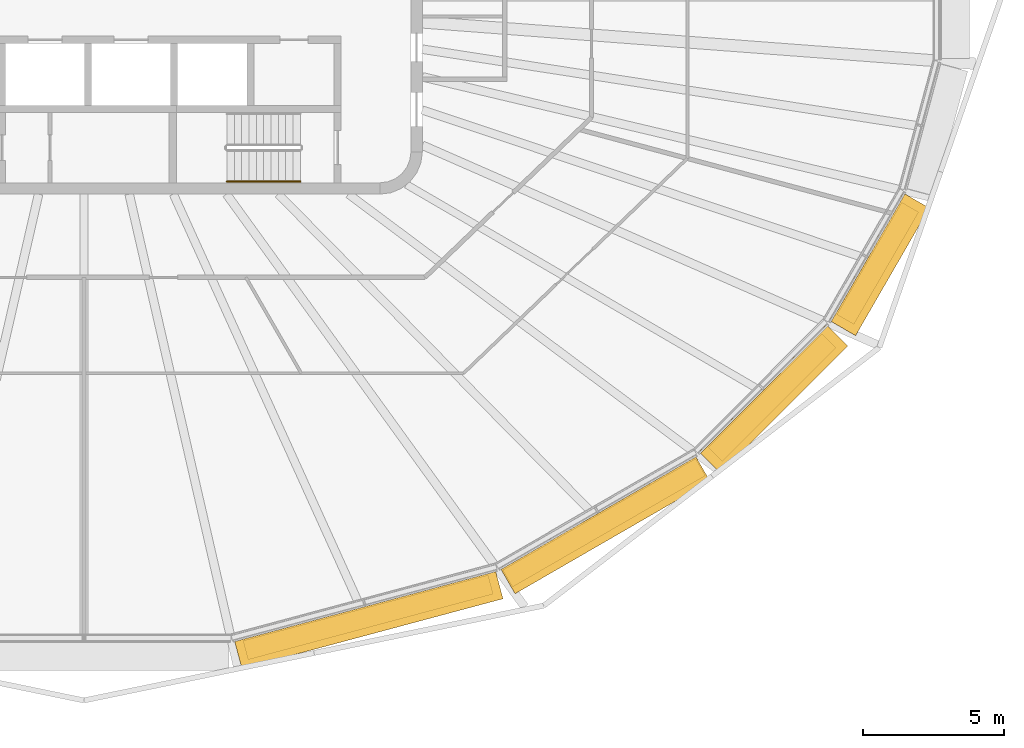
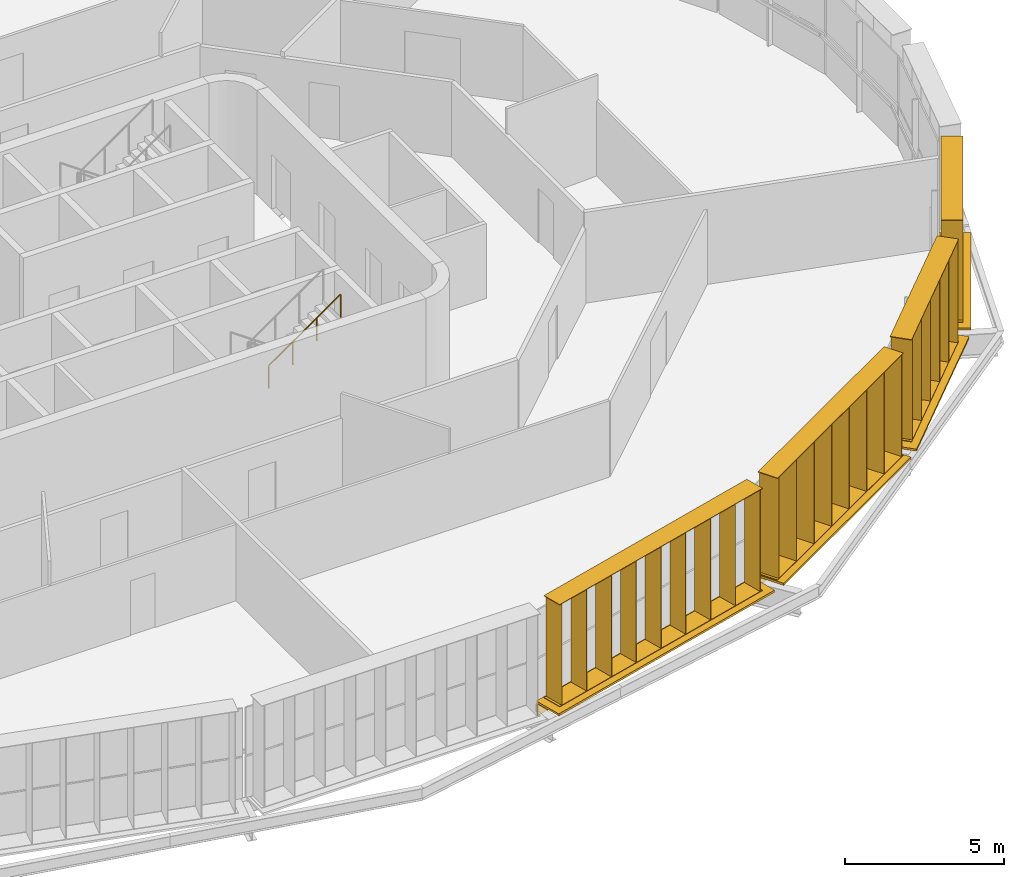
# One storey, part 17 of 20: 8 shading devices, 1 railing.
"""IFC4 building model written with IfcOpenShell, lengths in metres."""

from ifc_helpers import new_model, si_unit, direction, frame, origin, origin_2d, place, context, subcontext, project, spatial, rectangle, circle, extrude, material, type_object, element, save


model = new_model("IFC4")

# Units and contexts
model_context = context("Model", 3, precision=1e-05, world=origin(), true_north=direction((0.0, 1.0)))
body_context = subcontext(model_context, "Body", "Model", "MODEL_VIEW")
ifc_project = project(units=[si_unit("LENGTHUNIT", "METRE"), si_unit("AREAUNIT", "SQUARE_METRE"), si_unit("VOLUMEUNIT", "CUBIC_METRE"), si_unit("PLANEANGLEUNIT", "RADIAN"), si_unit("MASSUNIT", "GRAM", prefix="KILO")], contexts=[model_context])

# Site, building, storey
site_placement = place(None, origin())
site = spatial("IfcSite", under=ifc_project, at=site_placement, CompositionType="ELEMENT")
building_placement = place(site_placement, origin())
building = spatial("IfcBuilding", under=site, at=building_placement, Name="Sahrelin Media Tower", CompositionType="ELEMENT")
storey_placement = place(building_placement, frame((0.0, 0.0, 255.0)))
storey = spatial("IfcBuildingStorey", under=building, at=storey_placement, Name="L55", CompositionType="ELEMENT", Elevation=255.0)

# Shading devices
ifc_material_1 = material(Name="Champagne anodised aluminium 6063-T6", Category="aluminium")
shading_device_type_1 = type_object("IfcShadingDeviceType", Name="Fin cassette", PredefinedType="USERDEFINED", material=ifc_material_1)
placement_1 = place(storey_placement, frame((9.96875, -21.6005859375, 0.0), z_axis=(0.0, 0.0, 1.0), x_axis=(-0.965928857556, -0.258807731996, 0.0)))
element("IfcShadingDevice", 1, at=placement_1, inside=storey, type_object=shading_device_type_1, Name="L55:FIN:L55-19", ObjectType="FIN", PredefinedType="USERDEFINED", context=body_context, shape_type="SweptSolid", body=[
    extrude(rectangle(XDim=9.0, YDim=0.699951171875, at=origin_2d()), frame((0.0, 0.419921875, 0.0)), (0.0, 0.0, 1.0), 0.02001953125),
    extrude(rectangle(XDim=9.0, YDim=0.699951171875, at=origin_2d()), frame((0.0, 0.419921875, 3.89990234375)), (0.0, 0.0, 1.0), 0.02001953125),
    extrude(rectangle(XDim=0.02001953125, YDim=0.699951171875, at=origin_2d()), frame((-4.39990234375, 0.419921875, 0.010009765625), z_axis=(0.0, 0.0, 1.0), x_axis=(1.0, 0.0, 0.0)), (0.0, 0.0, 1.0), 3.89990234375),
    extrude(rectangle(XDim=0.02001953125, YDim=0.699951171875, at=origin_2d()), frame((-3.300048828125, 0.419921875, 0.010009765625), z_axis=(0.0, 0.0, 1.0), x_axis=(1.0, 0.0, 0.0)), (0.0, 0.0, 1.0), 3.89990234375),
    extrude(rectangle(XDim=0.02001953125, YDim=0.699951171875, at=origin_2d()), frame((-2.199951171875, 0.419921875, 0.010009765625), z_axis=(0.0, 0.0, 1.0), x_axis=(1.0, 0.0, 0.0)), (0.0, 0.0, 1.0), 3.89990234375),
    extrude(rectangle(XDim=0.02001953125, YDim=0.699951171875, at=origin_2d()), frame((-1.10009765625, 0.419921875, 0.010009765625), z_axis=(0.0, 0.0, 1.0), x_axis=(1.0, 0.0, 0.0)), (0.0, 0.0, 1.0), 3.89990234375),
    extrude(rectangle(XDim=0.02001953125, YDim=0.699951171875, at=origin_2d()), frame((0.0, 0.419921875, 0.010009765625), z_axis=(0.0, 0.0, 1.0), x_axis=(1.0, 0.0, 0.0)), (0.0, 0.0, 1.0), 3.89990234375),
    extrude(rectangle(XDim=0.02001953125, YDim=0.699951171875, at=origin_2d()), frame((1.10009765625, 0.419921875, 0.010009765625), z_axis=(0.0, 0.0, 1.0), x_axis=(1.0, 0.0, 0.0)), (0.0, 0.0, 1.0), 3.89990234375),
    extrude(rectangle(XDim=0.02001953125, YDim=0.699951171875, at=origin_2d()), frame((2.199951171875, 0.419921875, 0.010009765625), z_axis=(0.0, 0.0, 1.0), x_axis=(1.0, 0.0, 0.0)), (0.0, 0.0, 1.0), 3.89990234375),
    extrude(rectangle(XDim=0.02001953125, YDim=0.699951171875, at=origin_2d()), frame((3.300048828125, 0.419921875, 0.010009765625), z_axis=(0.0, 0.0, 1.0), x_axis=(1.0, 0.0, 0.0)), (0.0, 0.0, 1.0), 3.89990234375),
    extrude(rectangle(XDim=0.02001953125, YDim=0.699951171875, at=origin_2d()), frame((4.39990234375, 0.419921875, 0.010009765625), z_axis=(0.0, 0.0, 1.0), x_axis=(1.0, 0.0, 0.0)), (0.0, 0.0, 1.0), 3.89990234375),
])
placement_2 = place(storey_placement, frame((18.234375, -18.2900390625, 0.0), z_axis=(0.0, 0.0, 1.0), x_axis=(-0.866019052629, -0.500011000363, 0.0)))
element("IfcShadingDevice", 2, at=placement_2, inside=storey, type_object=shading_device_type_1, Name="L55:FIN:L55-20", ObjectType="FIN", PredefinedType="USERDEFINED", context=body_context, shape_type="SweptSolid", body=[
    extrude(rectangle(XDim=7.89990234375, YDim=0.699951171875, at=origin_2d()), frame((0.0, 0.419921875, 0.0)), (0.0, 0.0, 1.0), 0.02001953125),
    extrude(rectangle(XDim=7.89990234375, YDim=0.699951171875, at=origin_2d()), frame((0.0, 0.419921875, 3.89990234375)), (0.0, 0.0, 1.0), 0.02001953125),
    extrude(rectangle(XDim=0.02001953125, YDim=0.699951171875, at=origin_2d()), frame((-3.85009765625, 0.419921875, 0.010009765625), z_axis=(0.0, 0.0, 1.0), x_axis=(1.0, 0.0, 0.0)), (0.0, 0.0, 1.0), 3.89990234375),
    extrude(rectangle(XDim=0.02001953125, YDim=0.699951171875, at=origin_2d()), frame((-2.75, 0.419921875, 0.010009765625), z_axis=(0.0, 0.0, 1.0), x_axis=(1.0, 0.0, 0.0)), (0.0, 0.0, 1.0), 3.89990234375),
    extrude(rectangle(XDim=0.02001953125, YDim=0.699951171875, at=origin_2d()), frame((-1.64990234375, 0.419921875, 0.010009765625), z_axis=(0.0, 0.0, 1.0), x_axis=(1.0, 0.0, 0.0)), (0.0, 0.0, 1.0), 3.89990234375),
    extrude(rectangle(XDim=0.02001953125, YDim=0.699951171875, at=origin_2d()), frame((-0.550048828125, 0.419921875, 0.010009765625), z_axis=(0.0, 0.0, 1.0), x_axis=(1.0, 0.0, 0.0)), (0.0, 0.0, 1.0), 3.89990234375),
    extrude(rectangle(XDim=0.02001953125, YDim=0.699951171875, at=origin_2d()), frame((0.550048828125, 0.419921875, 0.010009765625), z_axis=(0.0, 0.0, 1.0), x_axis=(1.0, 0.0, 0.0)), (0.0, 0.0, 1.0), 3.89990234375),
    extrude(rectangle(XDim=0.02001953125, YDim=0.699951171875, at=origin_2d()), frame((1.64990234375, 0.419921875, 0.010009765625), z_axis=(0.0, 0.0, 1.0), x_axis=(1.0, 0.0, 0.0)), (0.0, 0.0, 1.0), 3.89990234375),
    extrude(rectangle(XDim=0.02001953125, YDim=0.699951171875, at=origin_2d()), frame((2.75, 0.419921875, 0.010009765625), z_axis=(0.0, 0.0, 1.0), x_axis=(1.0, 0.0, 0.0)), (0.0, 0.0, 1.0), 3.89990234375),
    extrude(rectangle(XDim=0.02001953125, YDim=0.699951171875, at=origin_2d()), frame((3.85009765625, 0.419921875, 0.010009765625), z_axis=(0.0, 0.0, 1.0), x_axis=(1.0, 0.0, 0.0)), (0.0, 0.0, 1.0), 3.89990234375),
])
placement_3 = place(storey_placement, frame((24.102294921875, -13.9189453125, 0.0), z_axis=(0.0, 0.0, 1.0), x_axis=(-0.707106781187, -0.707106781187, 0.0)))
element("IfcShadingDevice", 3, at=placement_3, inside=storey, type_object=shading_device_type_1, Name="L55:FIN:L55-21", ObjectType="FIN", PredefinedType="USERDEFINED", context=body_context, shape_type="SweptSolid", body=[
    extrude(rectangle(XDim=5.699951171875, YDim=0.699951171875, at=origin_2d()), frame((0.0, 0.419921875, 0.0)), (0.0, 0.0, 1.0), 0.02001953125),
    extrude(rectangle(XDim=5.699951171875, YDim=0.699951171875, at=origin_2d()), frame((0.0, 0.419921875, 3.89990234375)), (0.0, 0.0, 1.0), 0.02001953125),
    extrude(rectangle(XDim=0.02001953125, YDim=0.699951171875, at=origin_2d()), frame((-2.75, 0.419921875, 0.010009765625), z_axis=(0.0, 0.0, 1.0), x_axis=(1.0, 0.0, 0.0)), (0.0, 0.0, 1.0), 3.89990234375),
    extrude(rectangle(XDim=0.02001953125, YDim=0.699951171875, at=origin_2d()), frame((-1.64990234375, 0.419921875, 0.010009765625), z_axis=(0.0, 0.0, 1.0), x_axis=(1.0, 0.0, 0.0)), (0.0, 0.0, 1.0), 3.89990234375),
    extrude(rectangle(XDim=0.02001953125, YDim=0.699951171875, at=origin_2d()), frame((-0.550048828125, 0.419921875, 0.010009765625), z_axis=(0.0, 0.0, 1.0), x_axis=(1.0, 0.0, 0.0)), (0.0, 0.0, 1.0), 3.89990234375),
    extrude(rectangle(XDim=0.02001953125, YDim=0.699951171875, at=origin_2d()), frame((0.550048828125, 0.419921875, 0.010009765625), z_axis=(0.0, 0.0, 1.0), x_axis=(1.0, 0.0, 0.0)), (0.0, 0.0, 1.0), 3.89990234375),
    extrude(rectangle(XDim=0.02001953125, YDim=0.699951171875, at=origin_2d()), frame((1.64990234375, 0.419921875, 0.010009765625), z_axis=(0.0, 0.0, 1.0), x_axis=(1.0, 0.0, 0.0)), (0.0, 0.0, 1.0), 3.89990234375),
    extrude(rectangle(XDim=0.02001953125, YDim=0.699951171875, at=origin_2d()), frame((2.75, 0.419921875, 0.010009765625), z_axis=(0.0, 0.0, 1.0), x_axis=(1.0, 0.0, 0.0)), (0.0, 0.0, 1.0), 3.89990234375),
])
placement_4 = place(storey_placement, frame((27.784912109375, -9.243408203125, 0.0), z_axis=(0.0, 0.0, 1.0), x_axis=(-0.500011000363, -0.866019052629, 0.0)))
element("IfcShadingDevice", 4, at=placement_4, inside=storey, type_object=shading_device_type_1, Name="L55:FIN:L55-22", ObjectType="FIN", PredefinedType="USERDEFINED", context=body_context, shape_type="SweptSolid", body=[
    extrude(rectangle(XDim=4.60009765625, YDim=0.699951171875, at=origin_2d()), frame((0.0, 0.419921875, 0.0)), (0.0, 0.0, 1.0), 0.02001953125),
    extrude(rectangle(XDim=4.60009765625, YDim=0.699951171875, at=origin_2d()), frame((0.0, 0.419921875, 3.89990234375)), (0.0, 0.0, 1.0), 0.02001953125),
    extrude(rectangle(XDim=0.02001953125, YDim=0.699951171875, at=origin_2d()), frame((-2.199951171875, 0.419921875, 0.010009765625), z_axis=(0.0, 0.0, 1.0), x_axis=(1.0, 0.0, 0.0)), (0.0, 0.0, 1.0), 3.89990234375),
    extrude(rectangle(XDim=0.02001953125, YDim=0.699951171875, at=origin_2d()), frame((-1.10009765625, 0.419921875, 0.010009765625), z_axis=(0.0, 0.0, 1.0), x_axis=(1.0, 0.0, 0.0)), (0.0, 0.0, 1.0), 3.89990234375),
    extrude(rectangle(XDim=0.02001953125, YDim=0.699951171875, at=origin_2d()), frame((0.0, 0.419921875, 0.010009765625), z_axis=(0.0, 0.0, 1.0), x_axis=(1.0, 0.0, 0.0)), (0.0, 0.0, 1.0), 3.89990234375),
    extrude(rectangle(XDim=0.02001953125, YDim=0.699951171875, at=origin_2d()), frame((1.10009765625, 0.419921875, 0.010009765625), z_axis=(0.0, 0.0, 1.0), x_axis=(1.0, 0.0, 0.0)), (0.0, 0.0, 1.0), 3.89990234375),
    extrude(rectangle(XDim=0.02001953125, YDim=0.699951171875, at=origin_2d()), frame((2.199951171875, 0.419921875, 0.010009765625), z_axis=(0.0, 0.0, 1.0), x_axis=(1.0, 0.0, 0.0)), (0.0, 0.0, 1.0), 3.89990234375),
])

# Railing
ifc_material_2 = material(Name="Steel S355", Category="steel")
railing_type = type_object("IfcRailingType", Name="Stair handrail 900", PredefinedType="HANDRAIL", material=ifc_material_2)
railing_placement = place(storey_placement, frame((5.074951171875, -6.550048828125, 2.181884765625)))
element("IfcRailing", 5, at=railing_placement, inside=storey, type_object=railing_type, Name="L55 ST2 stair handrail 2", PredefinedType="HANDRAIL", context=body_context, shape_type="SweptSolid", body=[
    extrude(circle(Radius=0.02392578125, at=origin_2d()), frame((0.0, 0.0, 0.8759765625), z_axis=(0.819521025635, 0.0, 0.573049115296), x_axis=(0.0, 1.0, 0.0)), (0.0, 0.0, 1.0), 3.172607421875),
    extrude(circle(Radius=0.02099609375, at=origin_2d()), origin(), (0.0, 0.0, 1.0), 0.851806640625),
    extrude(circle(Radius=0.02099609375, at=origin_2d()), frame((0.86669921875, 0.0, 0.60595703125)), (0.0, 0.0, 1.0), 0.851806640625),
    extrude(circle(Radius=0.02099609375, at=origin_2d()), frame((1.7333984375, 0.0, 1.212158203125)), (0.0, 0.0, 1.0), 0.851806640625),
    extrude(circle(Radius=0.02099609375, at=origin_2d()), frame((2.60009765625, 0.0, 1.818115234375)), (0.0, 0.0, 1.0), 0.851806640625),
])

# Shading devices
shading_device_type_2 = type_object("IfcShadingDeviceType", Name="Sunshade band", PredefinedType="USERDEFINED", material=ifc_material_1)
element("IfcShadingDevice", 6, at=placement_1, inside=storey, type_object=shading_device_type_2, Name="L55:SUN:L55-19", ObjectType="SUNSHADE", PredefinedType="USERDEFINED", context=body_context, shape_type="SweptSolid", body=[
    extrude(rectangle(XDim=9.580322265625, YDim=0.050048828125, at=origin_2d()), frame((0.0, 0.044921875, -0.55126953125)), (0.0, 0.0, 1.0), 0.471435546875),
    extrude(rectangle(XDim=9.580322265625, YDim=1.0, at=origin_2d()), frame((0.0, 0.52001953125, -0.080078125)), (0.0, 0.0, 1.0), 0.080078125),
    extrude(rectangle(XDim=0.10009765625, YDim=0.074951171875, at=origin_2d()), frame((-4.690185546875, -0.017578125, -0.47021484375)), (0.0, 0.0, 1.0), 0.300048828125),
    extrude(rectangle(XDim=0.10009765625, YDim=0.074951171875, at=origin_2d()), frame((-2.814208984375, -0.017578125, -0.47021484375)), (0.0, 0.0, 1.0), 0.300048828125),
    extrude(rectangle(XDim=0.10009765625, YDim=0.074951171875, at=origin_2d()), frame((-0.93798828125, -0.017578125, -0.47021484375)), (0.0, 0.0, 1.0), 0.300048828125),
    extrude(rectangle(XDim=0.10009765625, YDim=0.074951171875, at=origin_2d()), frame((0.93798828125, -0.017578125, -0.47021484375)), (0.0, 0.0, 1.0), 0.300048828125),
    extrude(rectangle(XDim=0.10009765625, YDim=0.074951171875, at=origin_2d()), frame((2.814208984375, -0.017578125, -0.47021484375)), (0.0, 0.0, 1.0), 0.300048828125),
    extrude(rectangle(XDim=0.10009765625, YDim=0.074951171875, at=origin_2d()), frame((4.690185546875, -0.017578125, -0.47021484375)), (0.0, 0.0, 1.0), 0.300048828125),
])
element("IfcShadingDevice", 7, at=placement_2, inside=storey, type_object=shading_device_type_2, Name="L55:SUN:L55-20", ObjectType="SUNSHADE", PredefinedType="USERDEFINED", context=body_context, shape_type="SweptSolid", body=[
    extrude(rectangle(XDim=7.97998046875, YDim=0.050048828125, at=origin_2d()), frame((0.0, 0.044921875, -0.55126953125)), (0.0, 0.0, 1.0), 0.471435546875),
    extrude(rectangle(XDim=7.97998046875, YDim=1.0, at=origin_2d()), frame((0.0, 0.52001953125, -0.080078125)), (0.0, 0.0, 1.0), 0.080078125),
    extrude(rectangle(XDim=0.10009765625, YDim=0.074951171875, at=origin_2d()), frame((-3.889892578125, -0.017578125, -0.47021484375)), (0.0, 0.0, 1.0), 0.300048828125),
    extrude(rectangle(XDim=0.10009765625, YDim=0.074951171875, at=origin_2d()), frame((-1.945068359375, -0.017578125, -0.47021484375)), (0.0, 0.0, 1.0), 0.300048828125),
    extrude(rectangle(XDim=0.10009765625, YDim=0.074951171875, at=origin_2d()), frame((0.0, -0.017578125, -0.47021484375)), (0.0, 0.0, 1.0), 0.300048828125),
    extrude(rectangle(XDim=0.10009765625, YDim=0.074951171875, at=origin_2d()), frame((1.945068359375, -0.017578125, -0.47021484375)), (0.0, 0.0, 1.0), 0.300048828125),
    extrude(rectangle(XDim=0.10009765625, YDim=0.074951171875, at=origin_2d()), frame((3.889892578125, -0.017578125, -0.47021484375)), (0.0, 0.0, 1.0), 0.300048828125),
])
element("IfcShadingDevice", 8, at=placement_3, inside=storey, type_object=shading_device_type_2, Name="L55:SUN:L55-21", ObjectType="SUNSHADE", PredefinedType="USERDEFINED", context=body_context, shape_type="SweptSolid", body=[
    extrude(rectangle(XDim=6.379150390625, YDim=0.050048828125, at=origin_2d()), frame((0.0, 0.044921875, -0.55126953125)), (0.0, 0.0, 1.0), 0.471435546875),
    extrude(rectangle(XDim=6.379150390625, YDim=1.0, at=origin_2d()), frame((0.0, 0.52001953125, -0.080078125)), (0.0, 0.0, 1.0), 0.080078125),
    extrude(rectangle(XDim=0.10009765625, YDim=0.074951171875, at=origin_2d()), frame((-3.089599609375, -0.017578125, -0.47021484375)), (0.0, 0.0, 1.0), 0.300048828125),
    extrude(rectangle(XDim=0.10009765625, YDim=0.074951171875, at=origin_2d()), frame((-1.544921875, -0.017578125, -0.47021484375)), (0.0, 0.0, 1.0), 0.300048828125),
    extrude(rectangle(XDim=0.10009765625, YDim=0.074951171875, at=origin_2d()), frame((0.0, -0.017578125, -0.47021484375)), (0.0, 0.0, 1.0), 0.300048828125),
    extrude(rectangle(XDim=0.10009765625, YDim=0.074951171875, at=origin_2d()), frame((1.544921875, -0.017578125, -0.47021484375)), (0.0, 0.0, 1.0), 0.300048828125),
    extrude(rectangle(XDim=0.10009765625, YDim=0.074951171875, at=origin_2d()), frame((3.089599609375, -0.017578125, -0.47021484375)), (0.0, 0.0, 1.0), 0.300048828125),
])
element("IfcShadingDevice", 9, at=placement_4, inside=storey, type_object=shading_device_type_2, Name="L55:SUN:L55-22", ObjectType="SUNSHADE", PredefinedType="USERDEFINED", context=body_context, shape_type="SweptSolid", body=[
    extrude(rectangle(XDim=5.2255859375, YDim=0.050048828125, at=origin_2d()), frame((0.0, 0.044921875, -0.55126953125)), (0.0, 0.0, 1.0), 0.471435546875),
    extrude(rectangle(XDim=5.2255859375, YDim=1.0, at=origin_2d()), frame((0.0, 0.52001953125, -0.080078125)), (0.0, 0.0, 1.0), 0.080078125),
    extrude(rectangle(XDim=0.10009765625, YDim=0.074951171875, at=origin_2d()), frame((-2.5126953125, -0.017578125, -0.47021484375)), (0.0, 0.0, 1.0), 0.300048828125),
    extrude(rectangle(XDim=0.10009765625, YDim=0.074951171875, at=origin_2d()), frame((-0.837646484375, -0.017578125, -0.47021484375)), (0.0, 0.0, 1.0), 0.300048828125),
    extrude(rectangle(XDim=0.10009765625, YDim=0.074951171875, at=origin_2d()), frame((0.837646484375, -0.017578125, -0.47021484375)), (0.0, 0.0, 1.0), 0.300048828125),
    extrude(rectangle(XDim=0.10009765625, YDim=0.074951171875, at=origin_2d()), frame((2.5126953125, -0.017578125, -0.47021484375)), (0.0, 0.0, 1.0), 0.300048828125),
])

save(model, "model.ifc")
